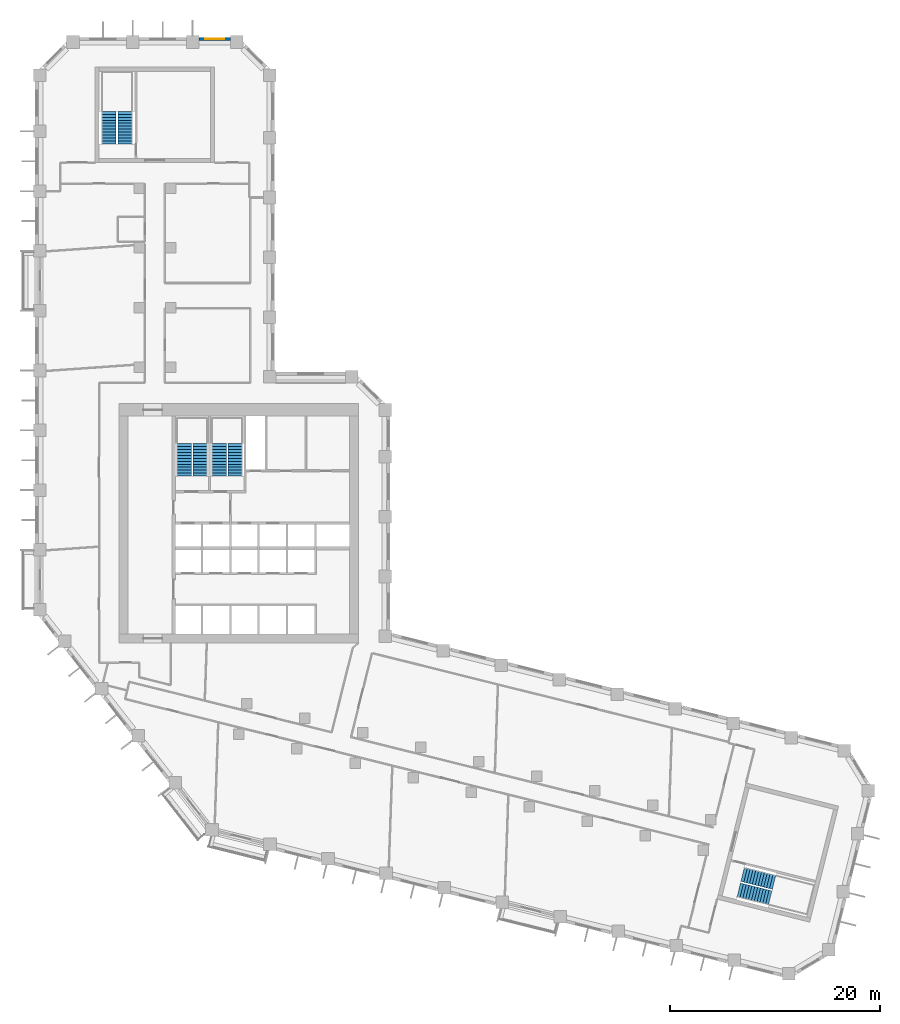
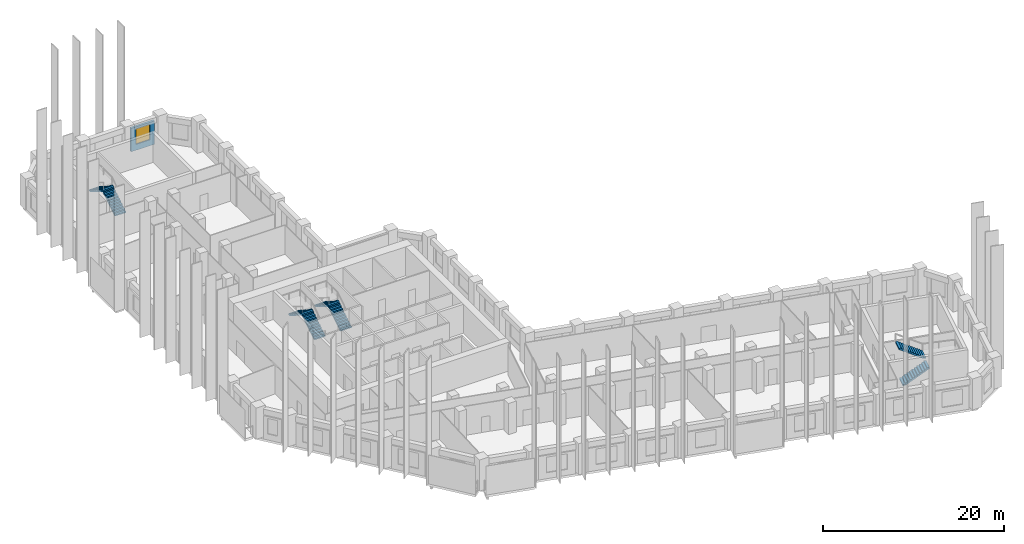
# One storey, part 9 of 10: 8 stair flights, 1 wall, 1 window, 1 opening, 4 elements without a shape of their own.
"""IFC4 building model written with IfcOpenShell, lengths in metres."""

from ifc_helpers import new_model, si_unit, direction, frame, frame_2d, origin, place, context, subcontext, project, spatial, polyline, rectangle, outline, extrude, material, layer, layer_set, type_object, element, fill, aggregate, save


model = new_model("IFC4")

# Units and contexts
model_context = context("Model", 3, precision=1e-05, world=origin(), true_north=direction((0.0, 1.0)))
body_context = subcontext(model_context, "Body", "Model", "MODEL_VIEW")
ifc_project = project(units=[si_unit("LENGTHUNIT", "METRE"), si_unit("AREAUNIT", "SQUARE_METRE"), si_unit("VOLUMEUNIT", "CUBIC_METRE"), si_unit("PLANEANGLEUNIT", "RADIAN"), si_unit("MASSUNIT", "GRAM", prefix="KILO")], contexts=[model_context])

# Site, building, storey
site_placement = place(None, origin())
site = spatial("IfcSite", under=ifc_project, at=site_placement, CompositionType="ELEMENT")
building_placement = place(site_placement, origin())
building = spatial("IfcBuilding", under=site, at=building_placement, Name="Meshkara Civic Tower", CompositionType="ELEMENT")
storey_placement = place(building_placement, frame((0.0, 0.0, 161.39990234375)))
storey = spatial("IfcBuildingStorey", under=building, at=storey_placement, Name="L36", CompositionType="ELEMENT", Elevation=161.39990234375)

# Wall, opening, window
ifc_material_1 = material(Name="Insulated infill panel with bronze anodised aluminium cladding", Category="aluminium")
ifc_layer = layer(ifc_material_1, 0.300048828125)
ifc_layer_set = layer_set([ifc_layer], Name="EXTERNAL INFILL WALL 300")
wall_type = type_object("IfcWallType", Name="EXTERNAL INFILL WALL 300", PredefinedType="SOLIDWALL", material=ifc_layer_set)
wall_placement = place(storey_placement, frame((18.593994140625, 71.669921875, 0.0), z_axis=(0.0, 0.0, 1.0), x_axis=(-1.0, 0.0, 0.0)))
wall = element("IfcWall", 1, at=wall_placement, inside=storey, type_object=wall_type, Name="External wall", PredefinedType="SOLIDWALL", context=body_context, shape_type="SweptSolid", body=[
    extrude(rectangle(XDim=2.988037109375, YDim=0.300048828125, at=frame_2d((1.494140625, 0.0))), origin(), (0.0, 0.0, 1.0), 3.150146484375),
])
opening_placement = place(wall_placement, frame((0.593994140625, 0.0, 0.800048828125)))
opening = element("IfcOpeningElement", 2, at=opening_placement, cuts=wall, Name="Opening W9", PredefinedType="OPENING", context=body_context, shape_type="SweptSolid", body=[
    extrude(rectangle(XDim=1.800048828125, YDim=2.10009765625, at=frame_2d((0.89990234375, 1.050048828125))), frame((0.0, 0.159912109375, 0.0), z_axis=(0.0, -1.0, 0.0), x_axis=(1.0, 0.0, 0.0)), (0.0, 0.0, 1.0), 0.320068359375),
])
ifc_material_2 = material(Name="Tinted double glazing", Category="glass")
window_type = type_object("IfcWindowType", Name="WINDOW 1800x2100", PartitioningType="DOUBLE_PANEL_VERTICAL", PredefinedType="WINDOW", material=ifc_material_2)
window_placement = place(opening_placement, origin())
window = element("IfcWindow", 3, at=window_placement, inside=storey, type_object=window_type, Name="Window", OverallHeight=2.10009765625, OverallWidth=1.800048828125, PartitioningType="DOUBLE_PANEL_VERTICAL", PredefinedType="WINDOW", context=body_context, shape_type="SweptSolid", body=[
    extrude(rectangle(XDim=1.800048828125, YDim=2.10009765625, at=frame_2d((0.89990234375, 1.050048828125))), frame((0.0, 0.030029296875, 0.0), z_axis=(0.0, -1.0, 0.0), x_axis=(1.0, 0.0, 0.0)), (0.0, 0.0, 1.0), 0.06005859375),
])
fill(opening, window)

# Stair, stair flights
ifc_material_3 = material(Name="Precast concrete C40/50", Category="concrete")
stair_type = type_object("IfcStairType", Name="Exit stair half-turn 24 risers precast", PredefinedType="HALF_TURN_STAIR", material=ifc_material_3)
stair_1_placement = place(storey_placement, origin())
stair_1 = element("IfcStair", 4, at=stair_1_placement, inside=storey, type_object=stair_type, Name="L36 exit stair 1", PredefinedType="HALF_TURN_STAIR")
ifc_material_4 = material(Name="Precast concrete C40/50", Category="concrete")
stair_flight_type = type_object("IfcStairFlightType", Name="Exit stair flight 12 risers precast", PredefinedType="STRAIGHT", material=ifc_material_4)
stair_flight_1_placement = place(storey_placement, frame((15.72509765625, 30.0, 0.0), z_axis=(0.0, 0.0, 1.0), x_axis=(0.0, 1.0, 0.0)))
stair_flight_1 = element("IfcStairFlight", 5, at=stair_flight_1_placement, type_object=stair_flight_type, Name="ST1 flight 1", NumberOfRisers=12, NumberOfTreads=11, PredefinedType="STRAIGHT", RiserHeight=0.175, TreadLength=0.28, context=body_context, shape_type="SweptSolid", body=[
    extrude(outline(polyline([(0.0, 0.0), (0.0, 0.175048828125), (0.280029296875, 0.175048828125), (0.280029296875, 0.35009765625), (0.56005859375, 0.35009765625), (0.56005859375, 0.52490234375), (0.840087890625, 0.52490234375), (0.840087890625, 0.699951171875), (1.1201171875, 0.699951171875), (1.1201171875, 0.875), (1.39990234375, 0.875), (1.39990234375, 1.050048828125), (1.679931640625, 1.050048828125), (1.679931640625, 1.22509765625), (1.9599609375, 1.22509765625), (1.9599609375, 1.39990234375), (2.239990234375, 1.39990234375), (2.239990234375, 1.574951171875), (2.52001953125, 1.574951171875), (2.52001953125, 1.75), (2.800048828125, 1.75), (2.800048828125, 1.925048828125), (3.080078125, 1.925048828125), (3.080078125, 2.10009765625), (3.080078125, 1.748291015625), (0.28271484375, 0.0), (0.0, 0.0)])), frame((0.0, 0.699951171875, 0.0), z_axis=(0.0, -1.0, 0.0), x_axis=(1.0, 0.0, 0.0)), (0.0, 0.0, 1.0), 1.39990234375),
])
stair_flight_2_placement = place(storey_placement, frame((14.175048828125, 33.080078125, 2.10009765625), z_axis=(0.0, 0.0, 1.0), x_axis=(0.0, -1.0, 0.0)))
stair_flight_2 = element("IfcStairFlight", 6, at=stair_flight_2_placement, type_object=stair_flight_type, Name="ST1 flight 2", NumberOfRisers=12, NumberOfTreads=11, PredefinedType="STRAIGHT", RiserHeight=0.175, TreadLength=0.28, context=body_context, shape_type="SweptSolid", body=[
    extrude(outline(polyline([(0.0, 0.0), (0.0, 0.175048828125), (0.280029296875, 0.175048828125), (0.280029296875, 0.35009765625), (0.56005859375, 0.35009765625), (0.56005859375, 0.52490234375), (0.840087890625, 0.52490234375), (0.840087890625, 0.699951171875), (1.1201171875, 0.699951171875), (1.1201171875, 0.875), (1.39990234375, 0.875), (1.39990234375, 1.050048828125), (1.679931640625, 1.050048828125), (1.679931640625, 1.22509765625), (1.9599609375, 1.22509765625), (1.9599609375, 1.39990234375), (2.239990234375, 1.39990234375), (2.239990234375, 1.574951171875), (2.52001953125, 1.574951171875), (2.52001953125, 1.75), (2.800048828125, 1.75), (2.800048828125, 1.925048828125), (3.080078125, 1.925048828125), (3.080078125, 2.10009765625), (3.080078125, 1.748291015625), (0.28271484375, 0.0), (0.0, 0.0)])), frame((0.0, 0.699951171875, 0.0), z_axis=(0.0, -1.0, 0.0), x_axis=(1.0, 0.0, 0.0)), (0.0, 0.0, 1.0), 1.39990234375),
])
aggregate(stair_1, [stair_flight_1, stair_flight_2])

stair_2_placement = place(storey_placement, origin())
stair_2 = element("IfcStair", 7, at=stair_2_placement, inside=storey, type_object=stair_type, Name="L36 exit stair 2", PredefinedType="HALF_TURN_STAIR")
stair_flight_3_placement = place(storey_placement, frame((19.074951171875, 30.0, 0.0), z_axis=(0.0, 0.0, 1.0), x_axis=(0.0, 1.0, 0.0)))
stair_flight_3 = element("IfcStairFlight", 8, at=stair_flight_3_placement, type_object=stair_flight_type, Name="ST2 flight 1", NumberOfRisers=12, NumberOfTreads=11, PredefinedType="STRAIGHT", RiserHeight=0.175, TreadLength=0.28, context=body_context, shape_type="SweptSolid", body=[
    extrude(outline(polyline([(0.0, 0.0), (0.0, 0.175048828125), (0.280029296875, 0.175048828125), (0.280029296875, 0.35009765625), (0.56005859375, 0.35009765625), (0.56005859375, 0.52490234375), (0.840087890625, 0.52490234375), (0.840087890625, 0.699951171875), (1.1201171875, 0.699951171875), (1.1201171875, 0.875), (1.39990234375, 0.875), (1.39990234375, 1.050048828125), (1.679931640625, 1.050048828125), (1.679931640625, 1.22509765625), (1.9599609375, 1.22509765625), (1.9599609375, 1.39990234375), (2.239990234375, 1.39990234375), (2.239990234375, 1.574951171875), (2.52001953125, 1.574951171875), (2.52001953125, 1.75), (2.800048828125, 1.75), (2.800048828125, 1.925048828125), (3.080078125, 1.925048828125), (3.080078125, 2.10009765625), (3.080078125, 1.748291015625), (0.28271484375, 0.0), (0.0, 0.0)])), frame((0.0, 0.699951171875, 0.0), z_axis=(0.0, -1.0, 0.0), x_axis=(1.0, 0.0, 0.0)), (0.0, 0.0, 1.0), 1.39990234375),
])
stair_flight_4_placement = place(storey_placement, frame((17.52490234375, 33.080078125, 2.10009765625), z_axis=(0.0, 0.0, 1.0), x_axis=(0.0, -1.0, 0.0)))
stair_flight_4 = element("IfcStairFlight", 9, at=stair_flight_4_placement, type_object=stair_flight_type, Name="ST2 flight 2", NumberOfRisers=12, NumberOfTreads=11, PredefinedType="STRAIGHT", RiserHeight=0.175, TreadLength=0.28, context=body_context, shape_type="SweptSolid", body=[
    extrude(outline(polyline([(0.0, 0.0), (0.0, 0.175048828125), (0.280029296875, 0.175048828125), (0.280029296875, 0.35009765625), (0.56005859375, 0.35009765625), (0.56005859375, 0.52490234375), (0.840087890625, 0.52490234375), (0.840087890625, 0.699951171875), (1.1201171875, 0.699951171875), (1.1201171875, 0.875), (1.39990234375, 0.875), (1.39990234375, 1.050048828125), (1.679931640625, 1.050048828125), (1.679931640625, 1.22509765625), (1.9599609375, 1.22509765625), (1.9599609375, 1.39990234375), (2.239990234375, 1.39990234375), (2.239990234375, 1.574951171875), (2.52001953125, 1.574951171875), (2.52001953125, 1.75), (2.800048828125, 1.75), (2.800048828125, 1.925048828125), (3.080078125, 1.925048828125), (3.080078125, 2.10009765625), (3.080078125, 1.748291015625), (0.28271484375, 0.0), (0.0, 0.0)])), frame((0.0, 0.699951171875, 0.0), z_axis=(0.0, -1.0, 0.0), x_axis=(1.0, 0.0, 0.0)), (0.0, 0.0, 1.0), 1.39990234375),
])
aggregate(stair_2, [stair_flight_3, stair_flight_4])

stair_3_placement = place(storey_placement, origin())
stair_3 = element("IfcStair", 10, at=stair_3_placement, inside=storey, type_object=stair_type, Name="L36 exit stair A from L35", PredefinedType="HALF_TURN_STAIR")
stair_flight_5_placement = place(storey_placement, frame((8.574951171875, 61.669921875, 0.0), z_axis=(0.0, 0.0, 1.0), x_axis=(0.0, 1.0, 0.0)))
stair_flight_5 = element("IfcStairFlight", 11, at=stair_flight_5_placement, type_object=stair_flight_type, Name="ESA3 flight 1", NumberOfRisers=12, NumberOfTreads=11, PredefinedType="STRAIGHT", RiserHeight=0.175, TreadLength=0.28, context=body_context, shape_type="SweptSolid", body=[
    extrude(outline(polyline([(0.0, 0.0), (0.0, 0.175048828125), (0.280029296875, 0.175048828125), (0.280029296875, 0.35009765625), (0.56005859375, 0.35009765625), (0.56005859375, 0.52490234375), (0.840087890625, 0.52490234375), (0.840087890625, 0.699951171875), (1.1201171875, 0.699951171875), (1.1201171875, 0.875), (1.39990234375, 0.875), (1.39990234375, 1.050048828125), (1.679931640625, 1.050048828125), (1.679931640625, 1.22509765625), (1.9599609375, 1.22509765625), (1.9599609375, 1.39990234375), (2.239990234375, 1.39990234375), (2.239990234375, 1.574951171875), (2.52001953125, 1.574951171875), (2.52001953125, 1.75), (2.800048828125, 1.75), (2.800048828125, 1.925048828125), (3.080078125, 1.925048828125), (3.080078125, 2.10009765625), (3.080078125, 1.748291015625), (0.28271484375, 0.0), (0.0, 0.0)])), frame((0.0, 0.699951171875, 0.0), z_axis=(0.0, -1.0, 0.0), x_axis=(1.0, 0.0, 0.0)), (0.0, 0.0, 1.0), 1.39990234375),
])
stair_flight_6_placement = place(storey_placement, frame((7.02490234375, 64.75, 2.10009765625), z_axis=(0.0, 0.0, 1.0), x_axis=(0.0, -1.0, 0.0)))
stair_flight_6 = element("IfcStairFlight", 12, at=stair_flight_6_placement, type_object=stair_flight_type, Name="ESA3 flight 2", NumberOfRisers=12, NumberOfTreads=11, PredefinedType="STRAIGHT", RiserHeight=0.175, TreadLength=0.28, context=body_context, shape_type="SweptSolid", body=[
    extrude(outline(polyline([(0.0, 0.0), (0.0, 0.175048828125), (0.280029296875, 0.175048828125), (0.280029296875, 0.35009765625), (0.56005859375, 0.35009765625), (0.56005859375, 0.52490234375), (0.840087890625, 0.52490234375), (0.840087890625, 0.699951171875), (1.1201171875, 0.699951171875), (1.1201171875, 0.875), (1.39990234375, 0.875), (1.39990234375, 1.050048828125), (1.679931640625, 1.050048828125), (1.679931640625, 1.22509765625), (1.9599609375, 1.22509765625), (1.9599609375, 1.39990234375), (2.239990234375, 1.39990234375), (2.239990234375, 1.574951171875), (2.52001953125, 1.574951171875), (2.52001953125, 1.75), (2.800048828125, 1.75), (2.800048828125, 1.925048828125), (3.080078125, 1.925048828125), (3.080078125, 2.10009765625), (3.080078125, 1.748291015625), (0.28271484375, 0.0), (0.0, 0.0)])), frame((0.0, 0.699951171875, 0.0), z_axis=(0.0, -1.0, 0.0), x_axis=(1.0, 0.0, 0.0)), (0.0, 0.0, 1.0), 1.39990234375),
])
aggregate(stair_3, [stair_flight_5, stair_flight_6])

stair_4_placement = place(storey_placement, origin())
stair_4 = element("IfcStair", 13, at=stair_4_placement, inside=storey, type_object=stair_type, Name="L36 exit stair B from L35", PredefinedType="HALF_TURN_STAIR")
stair_flight_7_placement = place(storey_placement, frame((67.068115234375, -9.4814453125, 0.0), z_axis=(0.0, 0.0, 1.0), x_axis=(0.9703185901, -0.241830175344, 0.0)))
stair_flight_7 = element("IfcStairFlight", 14, at=stair_flight_7_placement, type_object=stair_flight_type, Name="ESB3 flight 1", NumberOfRisers=12, NumberOfTreads=11, PredefinedType="STRAIGHT", RiserHeight=0.175, TreadLength=0.28, context=body_context, shape_type="SweptSolid", body=[
    extrude(outline(polyline([(0.0, 0.0), (0.0, 0.175048828125), (0.280029296875, 0.175048828125), (0.280029296875, 0.35009765625), (0.56005859375, 0.35009765625), (0.56005859375, 0.52490234375), (0.840087890625, 0.52490234375), (0.840087890625, 0.699951171875), (1.1201171875, 0.699951171875), (1.1201171875, 0.875), (1.39990234375, 0.875), (1.39990234375, 1.050048828125), (1.679931640625, 1.050048828125), (1.679931640625, 1.22509765625), (1.9599609375, 1.22509765625), (1.9599609375, 1.39990234375), (2.239990234375, 1.39990234375), (2.239990234375, 1.574951171875), (2.52001953125, 1.574951171875), (2.52001953125, 1.75), (2.800048828125, 1.75), (2.800048828125, 1.925048828125), (3.080078125, 1.925048828125), (3.080078125, 2.10009765625), (3.080078125, 1.748291015625), (0.28271484375, 0.0), (0.0, 0.0)])), frame((0.0, 0.699951171875, 0.0), z_axis=(0.0, -1.0, 0.0), x_axis=(1.0, 0.0, 0.0)), (0.0, 0.0, 1.0), 1.39990234375),
])
stair_flight_8_placement = place(storey_placement, frame((70.431396484375, -8.722412109375, 2.10009765625), z_axis=(0.0, 0.0, 1.0), x_axis=(-0.9703185901, 0.241830175344, 0.0)))
stair_flight_8 = element("IfcStairFlight", 15, at=stair_flight_8_placement, type_object=stair_flight_type, Name="ESB3 flight 2", NumberOfRisers=12, NumberOfTreads=11, PredefinedType="STRAIGHT", RiserHeight=0.175, TreadLength=0.28, context=body_context, shape_type="SweptSolid", body=[
    extrude(outline(polyline([(0.0, 0.0), (0.0, 0.175048828125), (0.280029296875, 0.175048828125), (0.280029296875, 0.35009765625), (0.56005859375, 0.35009765625), (0.56005859375, 0.52490234375), (0.840087890625, 0.52490234375), (0.840087890625, 0.699951171875), (1.1201171875, 0.699951171875), (1.1201171875, 0.875), (1.39990234375, 0.875), (1.39990234375, 1.050048828125), (1.679931640625, 1.050048828125), (1.679931640625, 1.22509765625), (1.9599609375, 1.22509765625), (1.9599609375, 1.39990234375), (2.239990234375, 1.39990234375), (2.239990234375, 1.574951171875), (2.52001953125, 1.574951171875), (2.52001953125, 1.75), (2.800048828125, 1.75), (2.800048828125, 1.925048828125), (3.080078125, 1.925048828125), (3.080078125, 2.10009765625), (3.080078125, 1.748291015625), (0.28271484375, 0.0), (0.0, 0.0)])), frame((0.0, 0.699951171875, 0.0), z_axis=(0.0, -1.0, 0.0), x_axis=(1.0, 0.0, 0.0)), (0.0, 0.0, 1.0), 1.39990234375),
])
aggregate(stair_4, [stair_flight_7, stair_flight_8])

save(model, "model.ifc")
